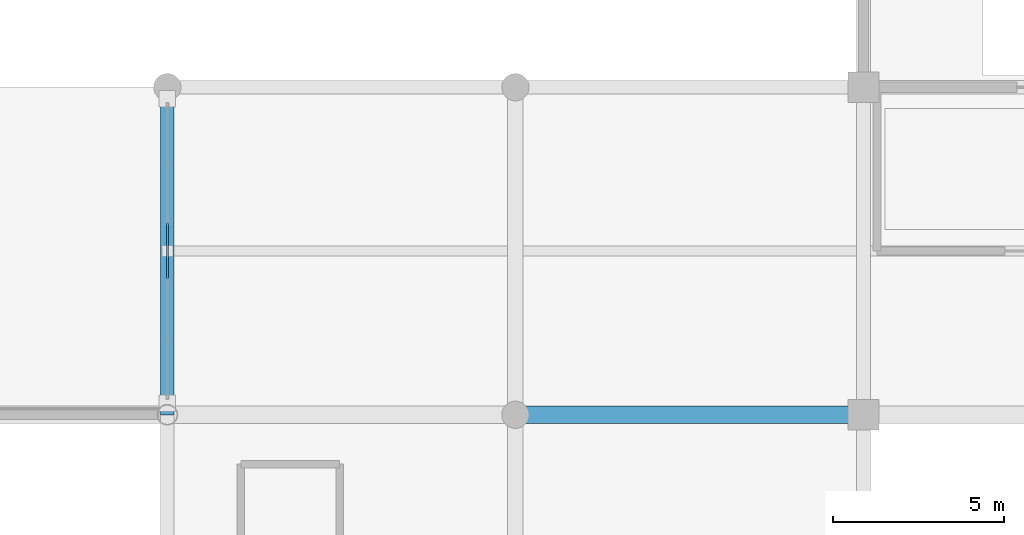
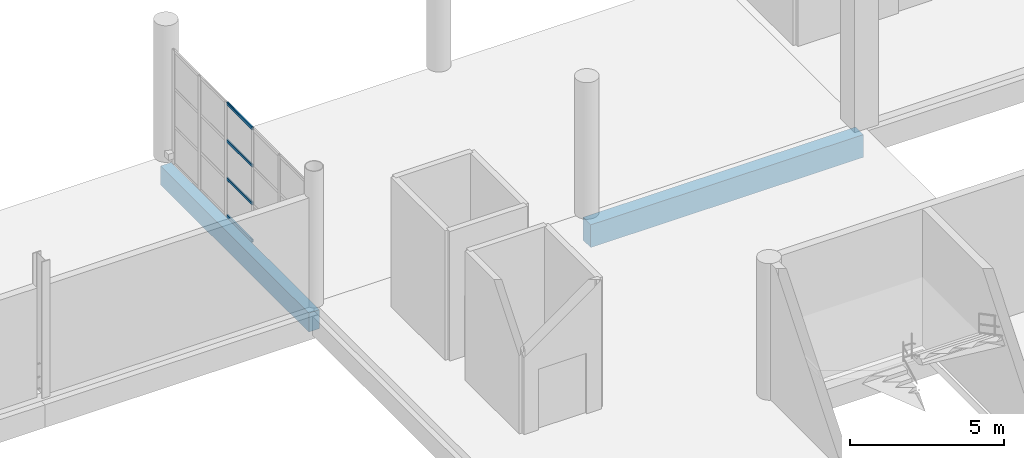
# One storey, part 77 of 175: 4 members, 2 beams, 1 element without a shape of its own.
"""IFC4 building model written with IfcOpenShell, lengths in metres."""

from ifc_helpers import new_model, si_unit, direction, frame, origin, origin_2d, place, context, subcontext, project, spatial, rectangle, hollow_rectangle, extrude, material, material_profile, profile_set, type_object, element, aggregate, save


model = new_model("IFC4")

# Units and contexts
model_context = context("Model", 3, precision=1e-05, world=origin(), true_north=direction((0.0, 1.0)))
body_context = subcontext(model_context, "Body", "Model", "MODEL_VIEW")
ifc_project = project(units=[si_unit("LENGTHUNIT", "METRE"), si_unit("AREAUNIT", "SQUARE_METRE"), si_unit("VOLUMEUNIT", "CUBIC_METRE"), si_unit("PLANEANGLEUNIT", "RADIAN"), si_unit("MASSUNIT", "GRAM", prefix="KILO")], contexts=[model_context])

# Site, building, storey
site_placement = place(None, origin())
site = spatial("IfcSite", under=ifc_project, at=site_placement, CompositionType="ELEMENT")
building_placement = place(site_placement, origin())
building = spatial("IfcBuilding", under=site, at=building_placement, Name="Brelvane Convention Centre", CompositionType="ELEMENT")
storey_placement = place(building_placement, frame((0.0, 0.0, 5.39990234375)))
storey = spatial("IfcBuildingStorey", under=building, at=storey_placement, Name="L01", CompositionType="ELEMENT", Elevation=5.39990234375)

# Curtain wall, members
ifc_material_1 = material(Name="Anodised Aluminium Alloy 6063-T6", Category="aluminium")
curtain_wall_type = type_object("IfcCurtainWallType", Name="Curtain Wall CW-PAV", PredefinedType="USERDEFINED", material=ifc_material_1)
curtain_wall_placement = place(storey_placement, origin())
curtain_wall = element("IfcCurtainWall", 1, at=curtain_wall_placement, inside=storey, type_object=curtain_wall_type, Name="Curtain Wall CW-PAV L01-COURT-E-CW-L01", ObjectType="UNITISED", PredefinedType="USERDEFINED")
ifc_material_2 = material(Name="Anodised Aluminium Alloy 6063-T6", Category="aluminium")
ifc_material_profile_1 = material_profile(ifc_material_2, hollow_rectangle(XDim=0.06005859375, YDim=0.1201171875, WallThickness=0.00390625, InnerFilletRadius=0.00390625, OuterFilletRadius=0.008056640625, at=origin_2d()), Name="ALU-T 120x60x4.0")
ifc_profile_set_1 = profile_set([ifc_material_profile_1], Name="Anodised Aluminium Alloy 6063-T6")
member_type = type_object("IfcMemberType", Name="Curtain Transom CW-T3", PredefinedType="USERDEFINED", material=ifc_profile_set_1)
member_1_placement = place(storey_placement, frame((142.800048828125, 103.572509765625, 0.030029296875), z_axis=(0.0, 1.0, 0.0), x_axis=(-1.0, 0.0, 0.0)))
member_1 = element("IfcMember", 2, at=member_1_placement, type_object=member_type, Name="CW-PAV transom 3.1", ObjectType="TRANSOM", PredefinedType="USERDEFINED", context=body_context, shape_type="SweptSolid", body=[
    extrude(hollow_rectangle(XDim=0.06005859375, YDim=0.1201171875, WallThickness=0.00390625, InnerFilletRadius=0.00390625, OuterFilletRadius=0.008056640625, at=origin_2d()), origin(), (0.0, 0.0, 1.0), 1.655029296875),
])
member_2_placement = place(storey_placement, frame((142.800048828125, 103.572509765625, 1.5), z_axis=(0.0, 1.0, 0.0), x_axis=(-1.0, 0.0, 0.0)))
member_2 = element("IfcMember", 3, at=member_2_placement, type_object=member_type, Name="CW-PAV transom 3.2", ObjectType="TRANSOM", PredefinedType="USERDEFINED", context=body_context, shape_type="SweptSolid", body=[
    extrude(hollow_rectangle(XDim=0.06005859375, YDim=0.1201171875, WallThickness=0.00390625, InnerFilletRadius=0.00390625, OuterFilletRadius=0.008056640625, at=origin_2d()), origin(), (0.0, 0.0, 1.0), 1.655029296875),
])
member_3_placement = place(storey_placement, frame((142.800048828125, 103.572509765625, 3.0), z_axis=(0.0, 1.0, 0.0), x_axis=(-1.0, 0.0, 0.0)))
member_3 = element("IfcMember", 4, at=member_3_placement, type_object=member_type, Name="CW-PAV transom 3.3", ObjectType="TRANSOM", PredefinedType="USERDEFINED", context=body_context, shape_type="SweptSolid", body=[
    extrude(hollow_rectangle(XDim=0.06005859375, YDim=0.1201171875, WallThickness=0.00390625, InnerFilletRadius=0.00390625, OuterFilletRadius=0.008056640625, at=origin_2d()), origin(), (0.0, 0.0, 1.0), 1.655029296875),
])
member_4_placement = place(storey_placement, frame((142.800048828125, 103.572509765625, 4.47021484375), z_axis=(0.0, 1.0, 0.0), x_axis=(-1.0, 0.0, 0.0)))
member_4 = element("IfcMember", 5, at=member_4_placement, type_object=member_type, Name="CW-PAV transom 3.4", ObjectType="TRANSOM", PredefinedType="USERDEFINED", context=body_context, shape_type="SweptSolid", body=[
    extrude(hollow_rectangle(XDim=0.06005859375, YDim=0.1201171875, WallThickness=0.00390625, InnerFilletRadius=0.00390625, OuterFilletRadius=0.008056640625, at=origin_2d()), origin(), (0.0, 0.0, 1.0), 1.655029296875),
])
aggregate(curtain_wall, [member_1, member_2, member_3, member_4])

# Beams
ifc_material_3 = material(Name="Concrete M40", Category="concrete")
ifc_material_profile_2 = material_profile(ifc_material_3, rectangle(XDim=0.5, YDim=0.89990234375, at=origin_2d()), Name="RC 500x900")
ifc_profile_set_2 = profile_set([ifc_material_profile_2], Name="Concrete M40")
beam_type_1 = type_object("IfcBeamType", Name="RC Beam B-RC4 (RC 500x900)", PredefinedType="BEAM", material=ifc_profile_set_2)
beam_1_placement = place(storey_placement, frame((153.0, 99.60009765625, -0.7998046875), z_axis=(1.0, 0.0, 0.0), x_axis=(0.0, 1.0, 0.0)))
element("IfcBeam", 6, at=beam_1_placement, inside=storey, type_object=beam_type_1, Name="L01 Beam 16-17/K", PredefinedType="BEAM", context=body_context, shape_type="SweptSolid", body=[
    extrude(rectangle(XDim=0.5, YDim=0.89990234375, at=origin_2d()), origin(), (0.0, 0.0, 1.0), 10.199951171875),
])
ifc_material_4 = material(Name="Concrete M40", Category="concrete")
ifc_material_profile_3 = material_profile(ifc_material_4, rectangle(XDim=0.39990234375, YDim=0.75, at=origin_2d()), Name="RC 400x750")
ifc_profile_set_3 = profile_set([ifc_material_profile_3], Name="Concrete M40")
beam_type_2 = type_object("IfcBeamType", Name="RC Spandrel SP-RC1 (RC 400x750)", PredefinedType="SPANDREL", material=ifc_profile_set_3)
beam_2_placement = place(storey_placement, frame((142.800048828125, 99.60009765625, -0.724853515625), z_axis=(0.0, 1.0, 0.0), x_axis=(-1.0, 0.0, 0.0)))
element("IfcBeam", 7, at=beam_2_placement, inside=storey, type_object=beam_type_2, Name="L01 Girder 15/K-L", PredefinedType="SPANDREL", context=body_context, shape_type="SweptSolid", body=[
    extrude(rectangle(XDim=0.39990234375, YDim=0.75, at=origin_2d()), origin(), (0.0, 0.0, 1.0), 9.599853515625),
])

save(model, "model.ifc")
